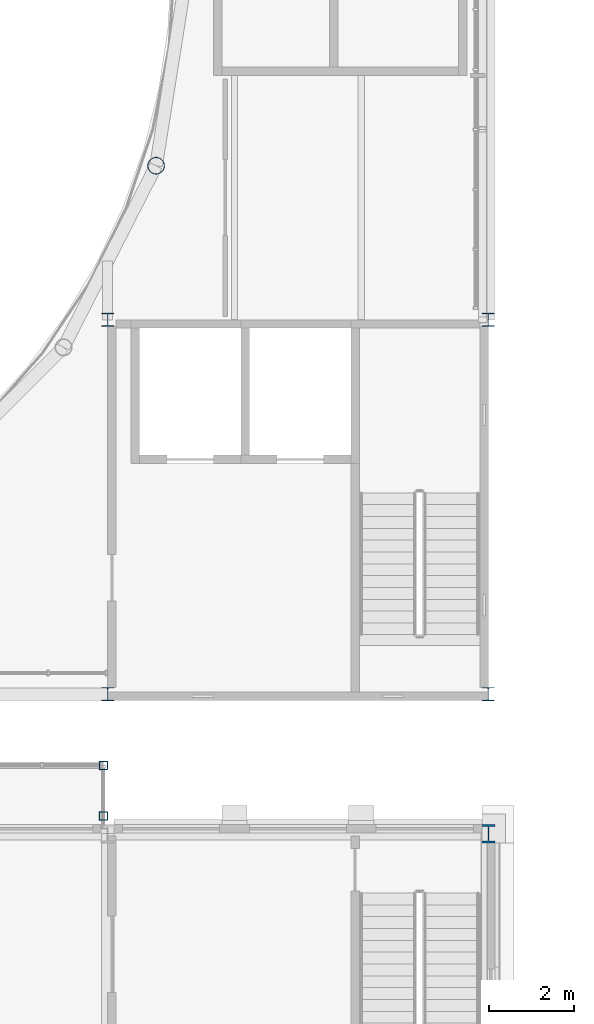
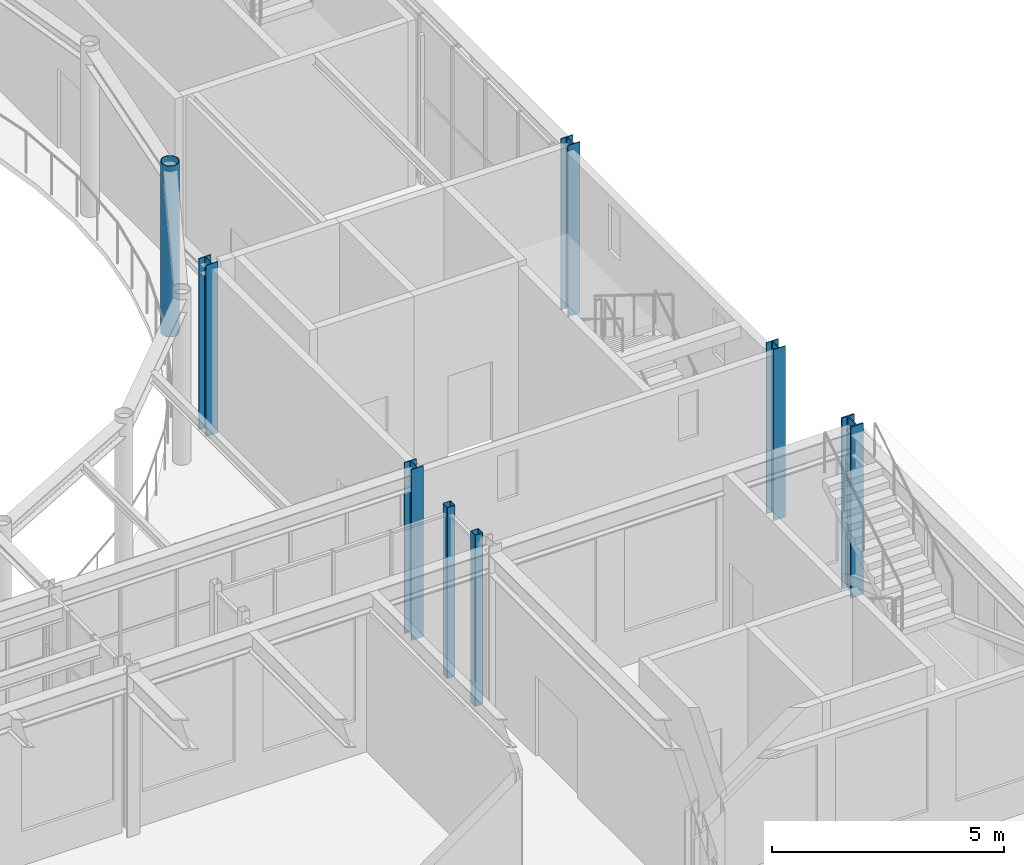
# One storey, part 10 of 111: 8 columns.
"""IFC4 building model written with IfcOpenShell, lengths in metres."""

from ifc_helpers import new_model, si_unit, direction, frame, origin, origin_2d, place, context, subcontext, project, spatial, hollow_rectangle, hollow_circle, i_section, extrude, material, material_profile, profile_set, type_object, element, save


model = new_model("IFC4")

# Units and contexts
model_context = context("Model", 3, precision=1e-05, world=origin(), true_north=direction((0.0, 1.0)))
body_context = subcontext(model_context, "Body", "Model", "MODEL_VIEW")
ifc_project = project(units=[si_unit("LENGTHUNIT", "METRE"), si_unit("AREAUNIT", "SQUARE_METRE"), si_unit("VOLUMEUNIT", "CUBIC_METRE"), si_unit("PLANEANGLEUNIT", "RADIAN"), si_unit("MASSUNIT", "GRAM", prefix="KILO")], contexts=[model_context])

# Site, building, storey
site_placement = place(None, origin())
site = spatial("IfcSite", under=ifc_project, at=site_placement, CompositionType="ELEMENT")
building_placement = place(site_placement, origin())
building = spatial("IfcBuilding", under=site, at=building_placement, Name="Kallimachos Central Library", CompositionType="ELEMENT")
storey_placement = place(building_placement, frame((0.0, 0.0, 14.39990234375)))
storey = spatial("IfcBuildingStorey", under=building, at=storey_placement, Name="L03", CompositionType="ELEMENT", Elevation=14.39990234375)

# Columns
ifc_material_1 = material(Name="Steel S355J2H", Category="steel")
ifc_material_profile_1 = material_profile(ifc_material_1, hollow_circle(Radius=0.203125, WallThickness=0.01611328125, at=origin_2d()), Name="CHS 406.4x16")
ifc_profile_set_1 = profile_set([ifc_material_profile_1], Name="Steel S355J2H")
column_type_1 = type_object("IfcColumnType", Name="CHS 406.4x16 column", PredefinedType="COLUMN", material=ifc_profile_set_1)
column_1_placement = place(storey_placement, frame((102.646240234375, 99.64111328125, 0.0), z_axis=(0.0, 0.0, 1.0), x_axis=(1.0, 0.0, 0.0)))
element("IfcColumn", 1, at=column_1_placement, inside=storey, type_object=column_type_1, Name="V1-COL-L03-034", PredefinedType="COLUMN", context=body_context, shape_type="SweptSolid", body=[
    extrude(hollow_circle(Radius=0.203125, WallThickness=0.01611328125, at=origin_2d()), origin(), (0.0, 0.0, 1.0), 4.5),
])
ifc_material_2 = material(Name="Steel S355J2", Category="steel")
ifc_material_profile_2 = material_profile(ifc_material_2, i_section(OverallWidth=0.300048828125, OverallDepth=0.320068359375, WebThickness=0.011474609375, FlangeThickness=0.0205078125, FilletRadius=0.027099609375, at=origin_2d()), Name="HEB 320")
ifc_profile_set_2 = profile_set([ifc_material_profile_2], Name="Steel S355J2")
column_type_2 = type_object("IfcColumnType", Name="HEB 320 column", PredefinedType="COLUMN", material=ifc_profile_set_2)
for number, where, z_axis, x_axis, name in (
    (2, (101.5, 87.14990234375, 0.0), (0.0, 0.0, 1.0), (1.0, 0.0, 0.0), "V1-COL-L03-005"),
    (3, (110.5, 87.14990234375, 0.0), (0.0, 0.0, 1.0), (1.0, 0.0, 0.0), "V1-COL-L03-006"),
    (4, (101.5, 96.0, 0.0), (0.0, 0.0, 1.0), (1.0, 0.0, 0.0), "V1-COL-L03-009"),
    (5, (110.5, 96.0, 0.0), (0.0, 0.0, 1.0), (1.0, 0.0, 0.0), "V1-COL-L03-010"),
):
    element("IfcColumn", number, at=place(storey_placement, frame(where, z_axis=z_axis, x_axis=x_axis)), inside=storey, type_object=column_type_2, Name=name, PredefinedType="COLUMN", context=body_context, shape_type="SweptSolid", body=[
        extrude(i_section(OverallWidth=0.300048828125, OverallDepth=0.320068359375, WebThickness=0.011474609375, FlangeThickness=0.0205078125, FilletRadius=0.027099609375, at=origin_2d()), origin(), (0.0, 0.0, 1.0), 4.5),
    ])
ifc_material_3 = material(Name="Steel S355J2", Category="steel")
ifc_material_profile_3 = material_profile(ifc_material_3, i_section(OverallWidth=0.306884765625, OverallDepth=0.431884765625, WebThickness=0.02099609375, FlangeThickness=0.0400390625, FilletRadius=0.027099609375, at=origin_2d()), Name="HEM 400")
ifc_profile_set_3 = profile_set([ifc_material_profile_3], Name="Steel S355J2")
column_type_3 = type_object("IfcColumnType", Name="HEM 400 column", PredefinedType="COLUMN", material=ifc_profile_set_3)
column_2_placement = place(storey_placement, frame((110.5, 83.85009765625, 0.0), z_axis=(0.0, 0.0, 1.0), x_axis=(1.0, 0.0, 0.0)))
element("IfcColumn", 6, at=column_2_placement, inside=storey, type_object=column_type_3, Name="V4-COL-L03-012", PredefinedType="COLUMN", context=body_context, shape_type="SweptSolid", body=[
    extrude(i_section(OverallWidth=0.306884765625, OverallDepth=0.431884765625, WebThickness=0.02099609375, FlangeThickness=0.0400390625, FilletRadius=0.027099609375, at=origin_2d()), origin(), (0.0, 0.0, 1.0), 4.5),
])
ifc_material_4 = material(Name="Steel S355J2H", Category="steel")
ifc_material_profile_4 = material_profile(ifc_material_4, hollow_rectangle(XDim=0.199951171875, YDim=0.199951171875, WallThickness=0.010009765625, InnerFilletRadius=0.010009765625, OuterFilletRadius=0.014892578125, at=origin_2d()), Name="SHS 200x200x10")
ifc_profile_set_4 = profile_set([ifc_material_profile_4], Name="Steel S355J2H")
column_type_4 = type_object("IfcColumnType", Name="SHS 200x200x10 column", PredefinedType="COLUMN", material=ifc_profile_set_4)
for number, where, z_axis, x_axis, name in (
    (7, (101.39990234375, 84.26611328125, 0.0), (0.0, 0.0, 1.0), (1.0, 0.0, 0.0), "Tribune bay N2 column 2"),
    (8, (101.39990234375, 85.466064453125, 0.0), (0.0, 0.0, 1.0), (1.0, 0.0, 0.0), "Tribune bay N2 column 4"),
):
    element("IfcColumn", number, at=place(storey_placement, frame(where, z_axis=z_axis, x_axis=x_axis)), inside=storey, type_object=column_type_4, Name=name, PredefinedType="COLUMN", context=body_context, shape_type="SweptSolid", body=[
        extrude(hollow_rectangle(XDim=0.199951171875, YDim=0.199951171875, WallThickness=0.010009765625, InnerFilletRadius=0.010009765625, OuterFilletRadius=0.014892578125, at=origin_2d()), origin(), (0.0, 0.0, 1.0), 4.5),
    ])

save(model, "model.ifc")
